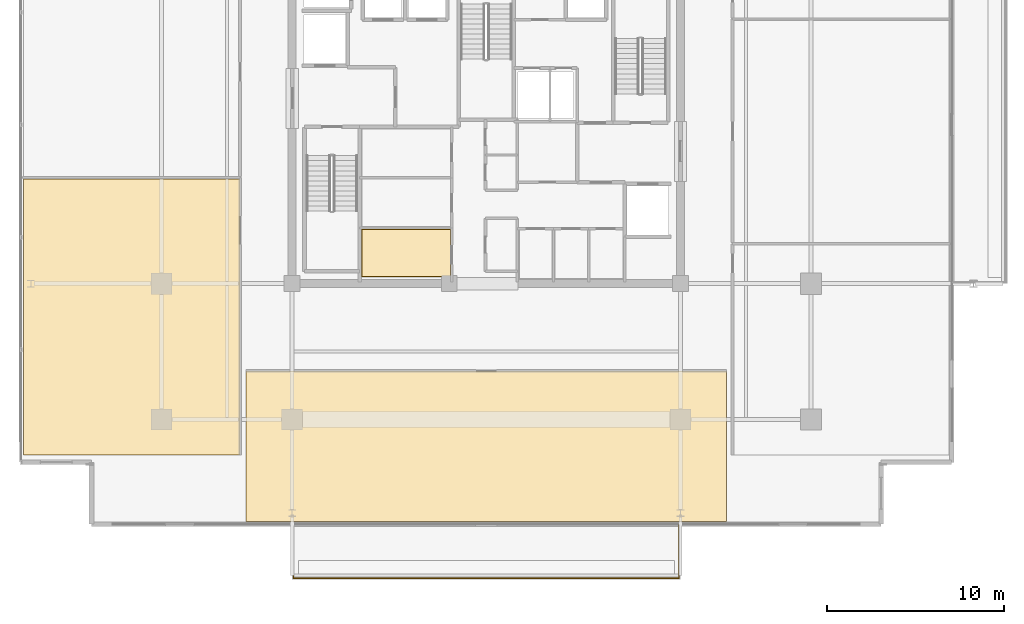
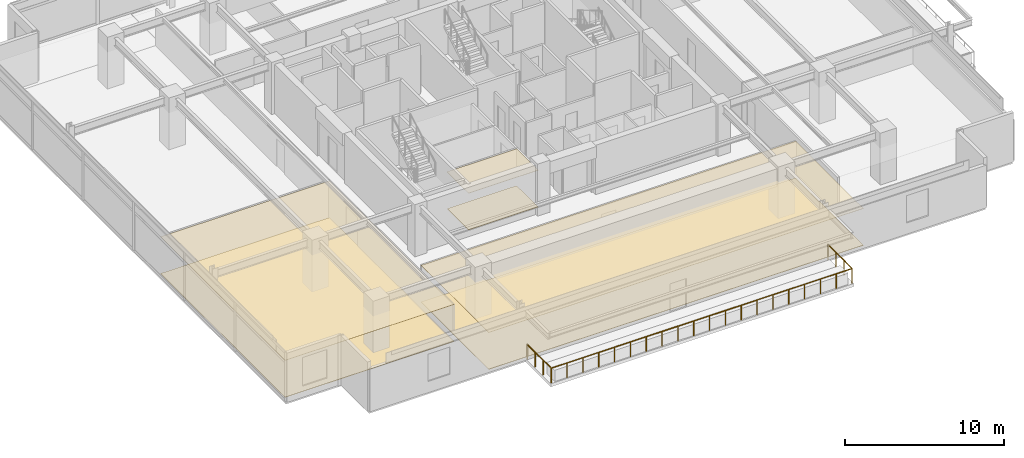
# One storey, part 20 of 24: 6 coverings, 1 railing.
"""IFC4 building model written with IfcOpenShell, lengths in metres."""

from ifc_helpers import new_model, si_unit, direction, frame, origin, origin_2d, place, context, subcontext, project, spatial, polyline, circle, outline, extrude, material, layer, layer_set, type_object, element, save


model = new_model("IFC4")

# Units and contexts
model_context = context("Model", 3, precision=1e-05, world=origin(), true_north=direction((0.0, 1.0)))
body_context = subcontext(model_context, "Body", "Model", "MODEL_VIEW")
ifc_project = project(units=[si_unit("LENGTHUNIT", "METRE"), si_unit("AREAUNIT", "SQUARE_METRE"), si_unit("VOLUMEUNIT", "CUBIC_METRE"), si_unit("PLANEANGLEUNIT", "RADIAN"), si_unit("MASSUNIT", "GRAM", prefix="KILO")], contexts=[model_context])

# Site, building, storey
site_placement = place(None, origin())
site = spatial("IfcSite", under=ifc_project, at=site_placement, CompositionType="ELEMENT")
building_placement = place(site_placement, origin())
building = spatial("IfcBuilding", under=site, at=building_placement, Name="Kovane Verandah Tower", CompositionType="ELEMENT")
storey_placement = place(building_placement, frame((0.0, 0.0, 259.199951171875)))
storey = spatial("IfcBuildingStorey", under=building, at=storey_placement, Name="L60", CompositionType="ELEMENT", Elevation=259.199951171875)

# Coverings
ifc_material_1 = material(Name="Perforated Acoustic Mineral-Fibre Ceiling Tile", Category="gypsum")
ifc_layer_1 = layer(ifc_material_1, 0.02490234375)
ifc_layer_set_1 = layer_set([ifc_layer_1], Name="Perforated Acoustic Mineral-Fibre Ceiling Tile")
covering_type_1 = type_object("IfcCoveringType", Name="CV-CEIL-25", PredefinedType="CEILING", material=ifc_layer_set_1)
covering_1_placement = place(storey_placement, frame((0.0, 0.0, 2.824951171875)))
element("IfcCovering", 1, at=covering_1_placement, inside=storey, type_object=covering_type_1, Name="L60 Project Archive Room Acoustic Ceiling", PredefinedType="CEILING", context=body_context, shape_type="SweptSolid", body=[
    extrude(outline(polyline([(32.93505859375, 18.885009765625), (37.9951171875, 18.885009765625), (37.9951171875, 21.594970703125), (32.93505859375, 21.594970703125), (32.93505859375, 18.885009765625)])), origin(), (0.0, 0.0, 1.0), 0.025146484375),
])
covering_2_placement = place(storey_placement, frame((0.0, 0.0, 2.824951171875)))
element("IfcCovering", 2, at=covering_2_placement, inside=storey, type_object=covering_type_1, Name="L60 Executive Office S1 Acoustic Ceiling", PredefinedType="CEILING", context=body_context, shape_type="SweptSolid", body=[
    extrude(outline(polyline([(26.39990234375, 5.03173828125), (53.60009765625, 5.03173828125), (53.60009765625, 13.550048828125), (26.39990234375, 13.550048828125), (26.39990234375, 5.03173828125)])), origin(), (0.0, 0.0, 1.0), 0.025146484375),
])
covering_3_placement = place(storey_placement, frame((0.0, 0.0, 2.824951171875)))
element("IfcCovering", 3, at=covering_3_placement, inside=storey, type_object=covering_type_1, Name="L60 Client Boardroom W1 Acoustic Ceiling", PredefinedType="CEILING", context=body_context, shape_type="SweptSolid", body=[
    extrude(outline(polyline([(13.783447265625, 8.78173828125), (26.050048828125, 8.78173828125), (26.050048828125, 24.43505859375), (13.783447265625, 24.43505859375), (13.783447265625, 8.78173828125)])), origin(), (0.0, 0.0, 1.0), 0.025146484375),
])
ifc_material_2 = material(Name="Polished Terrazzo and Raised-Access Carpet Tile Finish", Category="concrete")
ifc_layer_2 = layer(ifc_material_2, 0.030029296875)
ifc_layer_set_2 = layer_set([ifc_layer_2], Name="Polished Terrazzo and Raised-Access Carpet Tile Finish")
covering_type_2 = type_object("IfcCoveringType", Name="CV-FLOR-30", PredefinedType="FLOORING", material=ifc_layer_set_2)
covering_4_placement = place(storey_placement, origin())
element("IfcCovering", 4, at=covering_4_placement, inside=storey, type_object=covering_type_2, Name="L60 Project Archive Room Floor Finish", PredefinedType="FLOORING", context=body_context, shape_type="SweptSolid", body=[
    extrude(outline(polyline([(32.949951171875, 18.89990234375), (37.97998046875, 18.89990234375), (37.97998046875, 21.580078125), (32.949951171875, 21.580078125), (32.949951171875, 18.89990234375)])), origin(), (0.0, 0.0, 1.0), 0.030029296875),
])
covering_5_placement = place(storey_placement, origin())
element("IfcCovering", 5, at=covering_5_placement, inside=storey, type_object=covering_type_2, Name="L60 Executive Office S1 Floor Finish", PredefinedType="FLOORING", context=body_context, shape_type="SweptSolid", body=[
    extrude(outline(polyline([(26.39990234375, 5.03173828125), (53.60009765625, 5.03173828125), (53.60009765625, 13.550048828125), (26.39990234375, 13.550048828125), (26.39990234375, 5.03173828125)])), origin(), (0.0, 0.0, 1.0), 0.030029296875),
])
covering_6_placement = place(storey_placement, origin())
element("IfcCovering", 6, at=covering_6_placement, inside=storey, type_object=covering_type_2, Name="L60 Client Boardroom W1 Floor Finish", PredefinedType="FLOORING", context=body_context, shape_type="SweptSolid", body=[
    extrude(outline(polyline([(13.783447265625, 8.78173828125), (26.050048828125, 8.78173828125), (26.050048828125, 24.43505859375), (13.783447265625, 24.43505859375), (13.783447265625, 8.78173828125)])), origin(), (0.0, 0.0, 1.0), 0.030029296875),
])

# Railing
ifc_material_3 = material(Name="Laminated Glass and Pale-Champagne Stainless Balustrade", Category="glass")
railing_type = type_object("IfcRailingType", Name="RL-BAL-1150", PredefinedType="BALUSTRADE", material=ifc_material_3)
railing_placement = place(storey_placement, frame((29.080078125, 4.831787109375, 0.0)))
element("IfcRailing", 7, at=railing_placement, inside=storey, type_object=railing_type, Name="L60 S Verandah Glass Balustrade", PredefinedType="BALUSTRADE", context=body_context, shape_type="SweptSolid", body=[
    extrude(circle(Radius=0.02392578125, at=origin_2d()), frame((0.0, 0.0, 1.1259765625), z_axis=(0.0, -1.0, 0.0), x_axis=(1.0, 0.0, 0.0)), (0.0, 0.0, 1.0), 3.02001953125),
    extrude(circle(Radius=0.02392578125, at=origin_2d()), frame((0.0, -3.02001953125, 1.1259765625), z_axis=(1.0, 0.0, 0.0), x_axis=(0.0, 1.0, 0.0)), (0.0, 0.0, 1.0), 21.83984375),
    extrude(circle(Radius=0.02392578125, at=origin_2d()), frame((21.83984375, -3.02001953125, 1.1259765625), z_axis=(0.0, 1.0, 0.0), x_axis=(-1.0, 0.0, 0.0)), (0.0, 0.0, 1.0), 3.02001953125),
    extrude(circle(Radius=0.02099609375, at=origin_2d()), origin(), (0.0, 0.0, 1.0), 1.101806640625),
    extrude(circle(Radius=0.02099609375, at=origin_2d()), frame((0.0, -1.006591796875, 0.0)), (0.0, 0.0, 1.0), 1.101806640625),
    extrude(circle(Radius=0.02099609375, at=origin_2d()), frame((0.0, -2.013427734375, 0.0)), (0.0, 0.0, 1.0), 1.101806640625),
    extrude(circle(Radius=0.02099609375, at=origin_2d()), frame((0.0, -3.02001953125, 0.0)), (0.0, 0.0, 1.0), 1.101806640625),
    extrude(circle(Radius=0.02099609375, at=origin_2d()), frame((1.1494140625, -3.02001953125, 0.0)), (0.0, 0.0, 1.0), 1.101806640625),
    extrude(circle(Radius=0.02099609375, at=origin_2d()), frame((2.298828125, -3.02001953125, 0.0)), (0.0, 0.0, 1.0), 1.101806640625),
    extrude(circle(Radius=0.02099609375, at=origin_2d()), frame((3.448486328125, -3.02001953125, 0.0)), (0.0, 0.0, 1.0), 1.101806640625),
    extrude(circle(Radius=0.02099609375, at=origin_2d()), frame((4.597900390625, -3.02001953125, 0.0)), (0.0, 0.0, 1.0), 1.101806640625),
    extrude(circle(Radius=0.02099609375, at=origin_2d()), frame((5.747314453125, -3.02001953125, 0.0)), (0.0, 0.0, 1.0), 1.101806640625),
    extrude(circle(Radius=0.02099609375, at=origin_2d()), frame((6.896728515625, -3.02001953125, 0.0)), (0.0, 0.0, 1.0), 1.101806640625),
    extrude(circle(Radius=0.02099609375, at=origin_2d()), frame((8.046142578125, -3.02001953125, 0.0)), (0.0, 0.0, 1.0), 1.101806640625),
    extrude(circle(Radius=0.02099609375, at=origin_2d()), frame((9.19580078125, -3.02001953125, 0.0)), (0.0, 0.0, 1.0), 1.101806640625),
    extrude(circle(Radius=0.02099609375, at=origin_2d()), frame((10.34521484375, -3.02001953125, 0.0)), (0.0, 0.0, 1.0), 1.101806640625),
    extrude(circle(Radius=0.02099609375, at=origin_2d()), frame((11.49462890625, -3.02001953125, 0.0)), (0.0, 0.0, 1.0), 1.101806640625),
    extrude(circle(Radius=0.02099609375, at=origin_2d()), frame((12.64404296875, -3.02001953125, 0.0)), (0.0, 0.0, 1.0), 1.101806640625),
    extrude(circle(Radius=0.02099609375, at=origin_2d()), frame((13.793701171875, -3.02001953125, 0.0)), (0.0, 0.0, 1.0), 1.101806640625),
    extrude(circle(Radius=0.02099609375, at=origin_2d()), frame((14.943115234375, -3.02001953125, 0.0)), (0.0, 0.0, 1.0), 1.101806640625),
    extrude(circle(Radius=0.02099609375, at=origin_2d()), frame((16.092529296875, -3.02001953125, 0.0)), (0.0, 0.0, 1.0), 1.101806640625),
    extrude(circle(Radius=0.02099609375, at=origin_2d()), frame((17.241943359375, -3.02001953125, 0.0)), (0.0, 0.0, 1.0), 1.101806640625),
    extrude(circle(Radius=0.02099609375, at=origin_2d()), frame((18.391357421875, -3.02001953125, 0.0)), (0.0, 0.0, 1.0), 1.101806640625),
    extrude(circle(Radius=0.02099609375, at=origin_2d()), frame((19.541015625, -3.02001953125, 0.0)), (0.0, 0.0, 1.0), 1.101806640625),
    extrude(circle(Radius=0.02099609375, at=origin_2d()), frame((20.6904296875, -3.02001953125, 0.0)), (0.0, 0.0, 1.0), 1.101806640625),
    extrude(circle(Radius=0.02099609375, at=origin_2d()), frame((21.83984375, -3.02001953125, 0.0)), (0.0, 0.0, 1.0), 1.101806640625),
    extrude(circle(Radius=0.02099609375, at=origin_2d()), frame((21.83984375, -2.013427734375, 0.0)), (0.0, 0.0, 1.0), 1.101806640625),
    extrude(circle(Radius=0.02099609375, at=origin_2d()), frame((21.83984375, -1.006591796875, 0.0)), (0.0, 0.0, 1.0), 1.101806640625),
    extrude(circle(Radius=0.02099609375, at=origin_2d()), frame((21.83984375, 0.0, 0.0)), (0.0, 0.0, 1.0), 1.101806640625),
])

save(model, "model.ifc")
